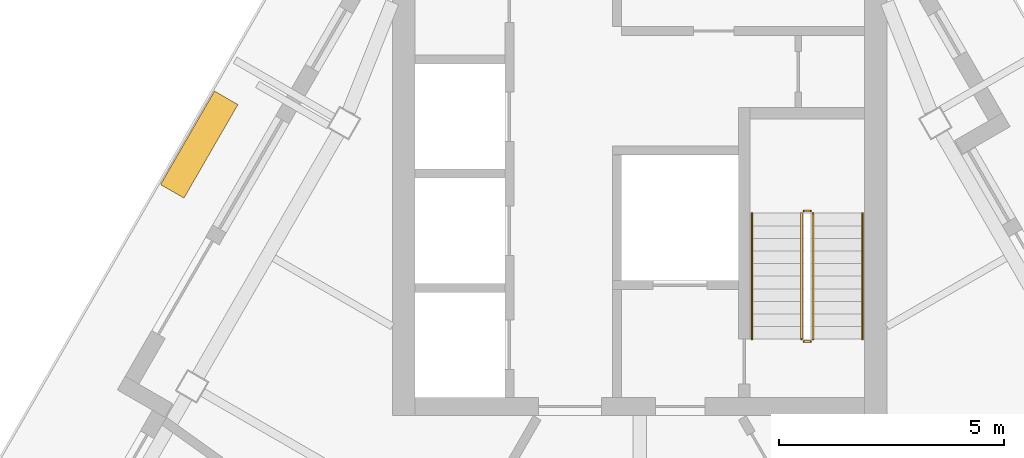
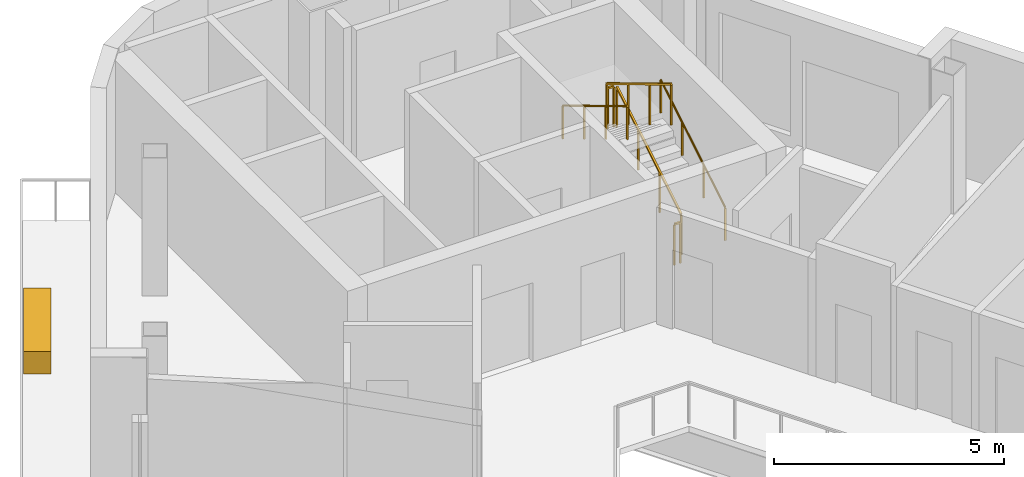
# One storey, part 12 of 12: 6 railings, 1 covering.
"""IFC4 building model written with IfcOpenShell, lengths in metres."""

from ifc_helpers import new_model, si_unit, direction, frame, origin, origin_2d, place, context, subcontext, project, spatial, rectangle, circle, extrude, material, type_object, element, save


model = new_model("IFC4")

# Units and contexts
model_context = context("Model", 3, precision=1e-05, world=origin(), true_north=direction((0.0, 1.0)))
body_context = subcontext(model_context, "Body", "Model", "MODEL_VIEW")
ifc_project = project(units=[si_unit("LENGTHUNIT", "METRE"), si_unit("AREAUNIT", "SQUARE_METRE"), si_unit("VOLUMEUNIT", "CUBIC_METRE"), si_unit("PLANEANGLEUNIT", "RADIAN"), si_unit("MASSUNIT", "GRAM", prefix="KILO")], contexts=[model_context])

# Site, building, storey
site_placement = place(None, origin())
site = spatial("IfcSite", under=ifc_project, at=site_placement, CompositionType="ELEMENT")
building_placement = place(site_placement, origin())
building = spatial("IfcBuilding", under=site, at=building_placement, Name="Apuvela Tower Hotel", CompositionType="ELEMENT")
storey_placement = place(building_placement, frame((0.0, 0.0, 305.89990234375)))
storey = spatial("IfcBuildingStorey", under=building, at=storey_placement, Name="L76", CompositionType="ELEMENT", Elevation=305.89990234375)

# Railings
ifc_material_1 = material(Name="Steel S275 balustrade", Category="steel")
railing_type_1 = type_object("IfcRailingType", Name="COR-GUARD-1100", PredefinedType="GUARDRAIL", material=ifc_material_1)
railing_1_placement = place(storey_placement, frame((3.85009765625, 14.60009765625, 0.168212890625)))
element("IfcRailing", 1, at=railing_1_placement, inside=storey, type_object=railing_type_1, Name="L76 ST1 stair guard 1", PredefinedType="GUARDRAIL", context=body_context, shape_type="SweptSolid", body=[
    extrude(rectangle(XDim=0.048095703125, YDim=0.048095703125, at=origin_2d()), frame((0.0, 0.0, 1.076171875), z_axis=(0.0, 0.857222391501, 0.514946377315), x_axis=(-1.0, 0.0, 0.0)), (0.0, 0.0, 1.0), 3.26611328125),
    extrude(rectangle(XDim=0.0419921875, YDim=0.0419921875, at=origin_2d()), origin(), (0.0, 0.0, 1.0), 1.052001953125),
    extrude(rectangle(XDim=0.0419921875, YDim=0.0419921875, at=origin_2d()), frame((0.0, 0.933349609375, 0.560546875)), (0.0, 0.0, 1.0), 1.052001953125),
    extrude(rectangle(XDim=0.0419921875, YDim=0.0419921875, at=origin_2d()), frame((0.0, 1.866455078125, 1.121337890625)), (0.0, 0.0, 1.0), 1.052001953125),
    extrude(rectangle(XDim=0.0419921875, YDim=0.0419921875, at=origin_2d()), frame((0.0, 2.7998046875, 1.681884765625)), (0.0, 0.0, 1.0), 1.052001953125),
])
railing_2_placement = place(storey_placement, frame((3.800048828125, 17.449951171875, 1.85009765625)))
element("IfcRailing", 2, at=railing_2_placement, inside=storey, type_object=railing_type_1, Name="L76 ST1 stair guard 2", PredefinedType="GUARDRAIL", context=body_context, shape_type="SweptSolid", body=[
    extrude(rectangle(XDim=0.048095703125, YDim=0.048095703125, at=origin_2d()), frame((0.0, 0.0, 1.076171875), z_axis=(-1.0, 0.0, 0.0), x_axis=(0.0, -1.0, 0.0)), (0.0, 0.0, 1.0), 0.150146484375),
    extrude(rectangle(XDim=0.0419921875, YDim=0.0419921875, at=origin_2d()), origin(), (0.0, 0.0, 1.0), 1.052001953125),
    extrude(rectangle(XDim=0.0419921875, YDim=0.0419921875, at=origin_2d()), frame((-0.150146484375, 0.0, 0.0)), (0.0, 0.0, 1.0), 1.052001953125),
])
railing_3_placement = place(storey_placement, frame((3.60009765625, 17.39990234375, 2.018310546875)))
element("IfcRailing", 3, at=railing_3_placement, inside=storey, type_object=railing_type_1, Name="L76 ST1 stair guard 3", PredefinedType="GUARDRAIL", context=body_context, shape_type="SweptSolid", body=[
    extrude(rectangle(XDim=0.048095703125, YDim=0.048095703125, at=origin_2d()), frame((0.0, 0.0, 1.076171875), z_axis=(0.0, -0.857222391501, 0.514946377315), x_axis=(1.0, 0.0, 0.0)), (0.0, 0.0, 1.0), 3.26611328125),
    extrude(rectangle(XDim=0.0419921875, YDim=0.0419921875, at=origin_2d()), origin(), (0.0, 0.0, 1.0), 1.052001953125),
    extrude(rectangle(XDim=0.0419921875, YDim=0.0419921875, at=origin_2d()), frame((0.0, -0.933349609375, 0.560546875)), (0.0, 0.0, 1.0), 1.052001953125),
    extrude(rectangle(XDim=0.0419921875, YDim=0.0419921875, at=origin_2d()), frame((0.0, -1.866455078125, 1.121337890625)), (0.0, 0.0, 1.0), 1.052001953125),
    extrude(rectangle(XDim=0.0419921875, YDim=0.0419921875, at=origin_2d()), frame((0.0, -2.7998046875, 1.681884765625)), (0.0, 0.0, 1.0), 1.052001953125),
])
railing_4_placement = place(storey_placement, frame((3.800048828125, 14.550048828125, 0.0)))
element("IfcRailing", 4, at=railing_4_placement, inside=storey, type_object=railing_type_1, Name="L76 ST1 stair guard 4", PredefinedType="GUARDRAIL", context=body_context, shape_type="SweptSolid", body=[
    extrude(rectangle(XDim=0.048095703125, YDim=0.048095703125, at=origin_2d()), frame((0.0, 0.0, 1.076171875), z_axis=(-1.0, 0.0, 0.0), x_axis=(0.0, -1.0, 0.0)), (0.0, 0.0, 1.0), 0.150146484375),
    extrude(rectangle(XDim=0.0419921875, YDim=0.0419921875, at=origin_2d()), origin(), (0.0, 0.0, 1.0), 1.052001953125),
    extrude(rectangle(XDim=0.0419921875, YDim=0.0419921875, at=origin_2d()), frame((-0.150146484375, 0.0, 0.0)), (0.0, 0.0, 1.0), 1.052001953125),
])
ifc_material_2 = material(Name="Stainless steel 316 handrail", Category="steel")
railing_type_2 = type_object("IfcRailingType", Name="COR-HANDRAIL-900", PredefinedType="HANDRAIL", material=ifc_material_2)
railing_5_placement = place(storey_placement, frame((4.949951171875, 14.60009765625, 0.168212890625)))
element("IfcRailing", 5, at=railing_5_placement, inside=storey, type_object=railing_type_2, Name="L76 ST1 stair handrail 1", PredefinedType="HANDRAIL", context=body_context, shape_type="SweptSolid", body=[
    extrude(circle(Radius=0.02392578125, at=origin_2d()), frame((0.0, 0.0, 0.8759765625), z_axis=(0.0, 0.857222391501, 0.514946377315), x_axis=(-1.0, 0.0, 0.0)), (0.0, 0.0, 1.0), 3.26611328125),
    extrude(rectangle(XDim=0.0419921875, YDim=0.0419921875, at=origin_2d()), origin(), (0.0, 0.0, 1.0), 0.851806640625),
    extrude(rectangle(XDim=0.0419921875, YDim=0.0419921875, at=origin_2d()), frame((0.0, 0.933349609375, 0.560546875)), (0.0, 0.0, 1.0), 0.851806640625),
    extrude(rectangle(XDim=0.0419921875, YDim=0.0419921875, at=origin_2d()), frame((0.0, 1.866455078125, 1.121337890625)), (0.0, 0.0, 1.0), 0.851806640625),
    extrude(rectangle(XDim=0.0419921875, YDim=0.0419921875, at=origin_2d()), frame((0.0, 2.7998046875, 1.681884765625)), (0.0, 0.0, 1.0), 0.851806640625),
])
railing_6_placement = place(storey_placement, frame((2.5, 17.39990234375, 2.018310546875)))
element("IfcRailing", 6, at=railing_6_placement, inside=storey, type_object=railing_type_2, Name="L76 ST1 stair handrail 2", PredefinedType="HANDRAIL", context=body_context, shape_type="SweptSolid", body=[
    extrude(circle(Radius=0.02392578125, at=origin_2d()), frame((0.0, 0.0, 0.8759765625), z_axis=(0.0, -0.857222391501, 0.514946377315), x_axis=(1.0, 0.0, 0.0)), (0.0, 0.0, 1.0), 3.26611328125),
    extrude(rectangle(XDim=0.0419921875, YDim=0.0419921875, at=origin_2d()), origin(), (0.0, 0.0, 1.0), 0.851806640625),
    extrude(rectangle(XDim=0.0419921875, YDim=0.0419921875, at=origin_2d()), frame((0.0, -0.933349609375, 0.560546875)), (0.0, 0.0, 1.0), 0.851806640625),
    extrude(rectangle(XDim=0.0419921875, YDim=0.0419921875, at=origin_2d()), frame((0.0, -1.866455078125, 1.121337890625)), (0.0, 0.0, 1.0), 0.851806640625),
    extrude(rectangle(XDim=0.0419921875, YDim=0.0419921875, at=origin_2d()), frame((0.0, -2.7998046875, 1.681884765625)), (0.0, 0.0, 1.0), 0.851806640625),
])

# Covering
ifc_material_3 = material(Name="Planting substrate and soil, planted")
covering_type = type_object("IfcCoveringType", Name="ENV-PLANTER-2400x600", PredefinedType="USERDEFINED", material=ifc_material_3)
covering_placement = place(storey_placement, frame((-9.7939453125, 18.925537109375, 0.0), z_axis=(0.0, 0.0, 1.0), x_axis=(-0.5, -0.866025403784, 0.0)))
element("IfcCovering", 7, at=covering_placement, inside=storey, type_object=covering_type, Name="Planter NW4", ObjectType="PLANTER", PredefinedType="USERDEFINED", context=body_context, shape_type="SweptSolid", body=[
    extrude(rectangle(XDim=2.39990234375, YDim=0.60009765625, at=origin_2d()), origin(), (0.0, 0.0, 1.0), 0.60009765625),
])

save(model, "model.ifc")
